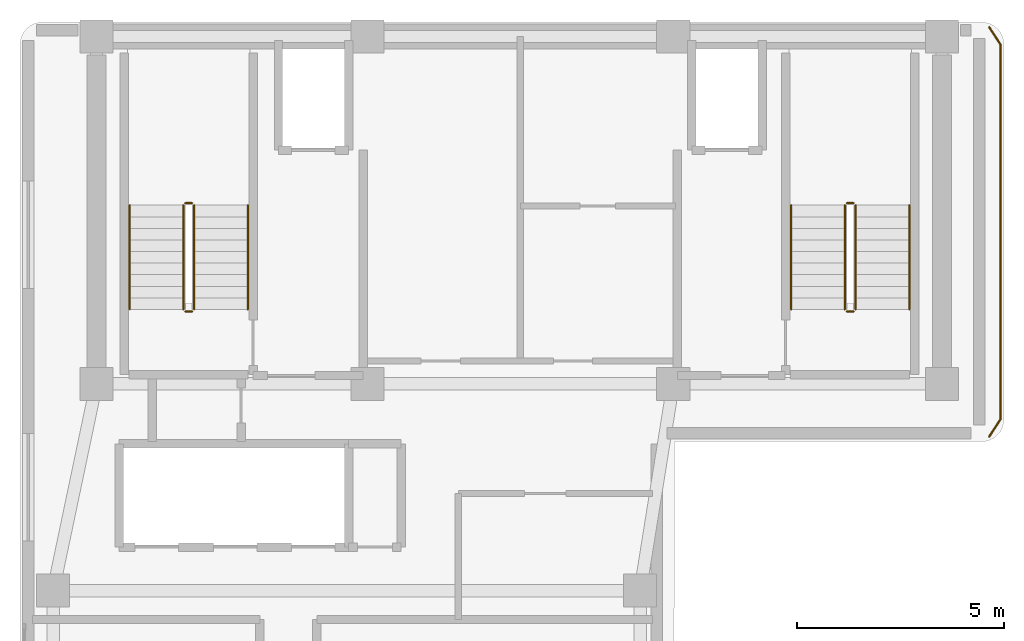
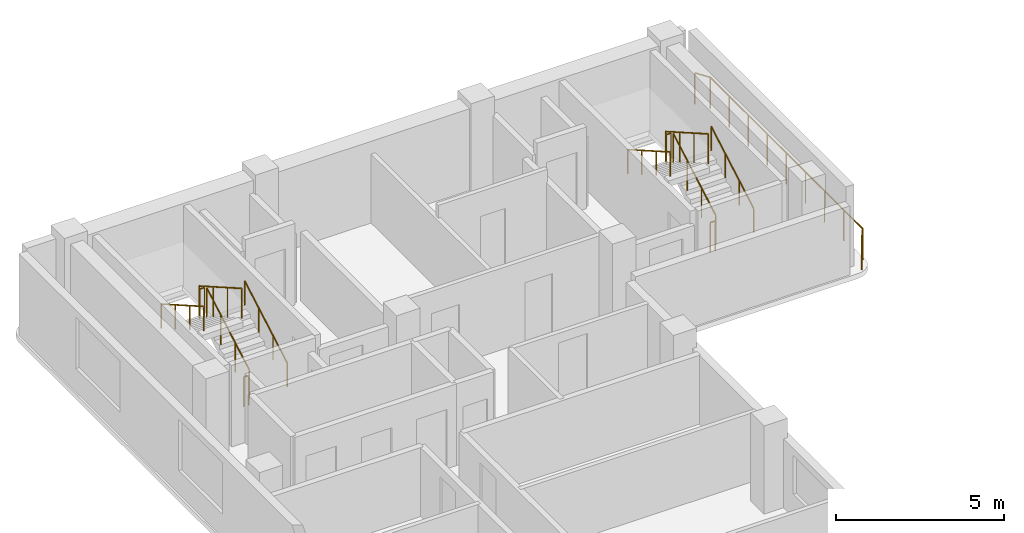
# One storey, part 9 of 9: 15 railings.
"""IFC4 building model written with IfcOpenShell, lengths in metres."""

from ifc_helpers import new_model, si_unit, direction, frame, origin, origin_2d, place, context, subcontext, project, spatial, circle, extrude, material, layer, layer_set, type_object, element, save


model = new_model("IFC4")

# Units and contexts
model_context = context("Model", 3, precision=1e-05, world=origin(), true_north=direction((0.0, 1.0)))
body_context = subcontext(model_context, "Body", "Model", "MODEL_VIEW")
ifc_project = project(units=[si_unit("LENGTHUNIT", "METRE"), si_unit("AREAUNIT", "SQUARE_METRE"), si_unit("VOLUMEUNIT", "CUBIC_METRE"), si_unit("PLANEANGLEUNIT", "RADIAN"), si_unit("MASSUNIT", "GRAM", prefix="KILO")], contexts=[model_context])

# Site, building, storey
site_placement = place(None, origin())
site = spatial("IfcSite", under=ifc_project, at=site_placement, CompositionType="ELEMENT")
building_placement = place(site_placement, origin())
building = spatial("IfcBuilding", under=site, at=building_placement, Name="Kuzgunbayir Cultural Tower", CompositionType="ELEMENT")
storey_placement = place(building_placement, frame((0.0, 0.0, 247.199951171875)))
storey = spatial("IfcBuildingStorey", under=building, at=storey_placement, Name="L73", CompositionType="ELEMENT", Elevation=247.199951171875)

# Railings
ifc_material_1 = material(Name="Laminated Glass and Stainless Steel", Category="steel")
ifc_layer_1 = layer(ifc_material_1, 0.080078125)
ifc_layer_set_1 = layer_set([ifc_layer_1], Name="Laminated Glass and Stainless Steel")
railing_type_1 = type_object("IfcRailingType", Name="RLG-BAL-115", PredefinedType="BALUSTRADE", material=ifc_layer_set_1)
railing_1_placement = place(storey_placement, frame((28.0400390625, 42.429931640625, 0.0)))
element("IfcRailing", 1, at=railing_1_placement, inside=storey, type_object=railing_type_1, Name="L73 Perimeter Edge Guard 1", PredefinedType="BALUSTRADE", context=body_context, shape_type="SweptSolid", body=[
    extrude(circle(Radius=0.02392578125, at=origin_2d()), frame((0.0, 0.0, 1.1259765625), z_axis=(0.545774188207, -0.837932297675, 0.0), x_axis=(0.837932297675, 0.545774188207, 0.0)), (0.0, 0.0, 1.0), 0.51318359375),
    extrude(circle(Radius=0.02099609375, at=origin_2d()), origin(), (0.0, 0.0, 1.0), 1.101806640625),
    extrude(circle(Radius=0.02099609375, at=origin_2d()), frame((0.280029296875, -0.429931640625, 0.0)), (0.0, 0.0, 1.0), 1.101806640625),
])
railing_2_placement = place(storey_placement, frame((28.320068359375, 42.0, 0.0)))
element("IfcRailing", 2, at=railing_2_placement, inside=storey, type_object=railing_type_1, Name="L73 Perimeter Edge Guard 2", PredefinedType="BALUSTRADE", context=body_context, shape_type="SweptSolid", body=[
    extrude(circle(Radius=0.02392578125, at=origin_2d()), frame((0.0, 0.0, 1.1259765625), z_axis=(0.0, -1.0, 0.0), x_axis=(1.0, 0.0, 0.0)), (0.0, 0.0, 1.0), 9.050048828125),
    extrude(circle(Radius=0.02099609375, at=origin_2d()), origin(), (0.0, 0.0, 1.0), 1.101806640625),
    extrude(circle(Radius=0.02099609375, at=origin_2d()), frame((0.0, -1.13134765625, 0.0)), (0.0, 0.0, 1.0), 1.101806640625),
    extrude(circle(Radius=0.02099609375, at=origin_2d()), frame((0.0, -2.262451171875, 0.0)), (0.0, 0.0, 1.0), 1.101806640625),
    extrude(circle(Radius=0.02099609375, at=origin_2d()), frame((0.0, -3.393798828125, 0.0)), (0.0, 0.0, 1.0), 1.101806640625),
    extrude(circle(Radius=0.02099609375, at=origin_2d()), frame((0.0, -4.52490234375, 0.0)), (0.0, 0.0, 1.0), 1.101806640625),
    extrude(circle(Radius=0.02099609375, at=origin_2d()), frame((0.0, -5.65625, 0.0)), (0.0, 0.0, 1.0), 1.101806640625),
    extrude(circle(Radius=0.02099609375, at=origin_2d()), frame((0.0, -6.78759765625, 0.0)), (0.0, 0.0, 1.0), 1.101806640625),
    extrude(circle(Radius=0.02099609375, at=origin_2d()), frame((0.0, -7.918701171875, 0.0)), (0.0, 0.0, 1.0), 1.101806640625),
    extrude(circle(Radius=0.02099609375, at=origin_2d()), frame((0.0, -9.050048828125, 0.0)), (0.0, 0.0, 1.0), 1.101806640625),
])
railing_3_placement = place(storey_placement, frame((28.320068359375, 32.949951171875, 0.0)))
element("IfcRailing", 3, at=railing_3_placement, inside=storey, type_object=railing_type_1, Name="L73 Perimeter Edge Guard 3", PredefinedType="BALUSTRADE", context=body_context, shape_type="SweptSolid", body=[
    extrude(circle(Radius=0.02392578125, at=origin_2d()), frame((0.0, 0.0, 1.1259765625), z_axis=(-0.545774188207, -0.837932297675, 0.0), x_axis=(0.837932297675, -0.545774188207, 0.0)), (0.0, 0.0, 1.0), 0.51318359375),
    extrude(circle(Radius=0.02099609375, at=origin_2d()), origin(), (0.0, 0.0, 1.0), 1.101806640625),
    extrude(circle(Radius=0.02099609375, at=origin_2d()), frame((-0.280029296875, -0.429931640625, 0.0)), (0.0, 0.0, 1.0), 1.101806640625),
])
ifc_material_2 = material(Name="Brushed Stainless Steel", Category="steel")
ifc_layer_2 = layer(ifc_material_2, 0.050048828125)
ifc_layer_set_2 = layer_set([ifc_layer_2], Name="Brushed Stainless Steel")
railing_type_2 = type_object("IfcRailingType", Name="RLG-STAIR-HANDRAIL", PredefinedType="HANDRAIL", material=ifc_layer_set_2)
railing_4_placement = place(storey_placement, frame((10.110107421875, 35.60009765625, 0.16015625)))
element("IfcRailing", 4, at=railing_4_placement, inside=storey, type_object=railing_type_2, Name="L73 ST-1 stair handrail 1", PredefinedType="HANDRAIL", context=body_context, shape_type="SweptSolid", body=[
    extrude(circle(Radius=0.02392578125, at=origin_2d()), frame((0.0, 0.0, 0.8759765625), z_axis=(0.0, 0.868253494771, 0.496120820787), x_axis=(-1.0, 0.0, 0.0)), (0.0, 0.0, 1.0), 2.90234375),
    extrude(circle(Radius=0.02099609375, at=origin_2d()), origin(), (0.0, 0.0, 1.0), 0.851806640625),
    extrude(circle(Radius=0.02099609375, at=origin_2d()), frame((0.0, 0.840087890625, 0.47998046875)), (0.0, 0.0, 1.0), 0.851806640625),
    extrude(circle(Radius=0.02099609375, at=origin_2d()), frame((0.0, 1.679931640625, 0.9599609375)), (0.0, 0.0, 1.0), 0.851806640625),
    extrude(circle(Radius=0.02099609375, at=origin_2d()), frame((0.0, 2.52001953125, 1.43994140625)), (0.0, 0.0, 1.0), 0.851806640625),
])
railing_5_placement = place(storey_placement, frame((7.25, 38.1201171875, 1.760009765625)))
element("IfcRailing", 5, at=railing_5_placement, inside=storey, type_object=railing_type_2, Name="L73 ST-1 stair handrail 2", PredefinedType="HANDRAIL", context=body_context, shape_type="SweptSolid", body=[
    extrude(circle(Radius=0.02392578125, at=origin_2d()), frame((0.0, 0.0, 0.8759765625), z_axis=(0.0, -0.868253494771, 0.496120820787), x_axis=(1.0, 0.0, 0.0)), (0.0, 0.0, 1.0), 2.90234375),
    extrude(circle(Radius=0.02099609375, at=origin_2d()), origin(), (0.0, 0.0, 1.0), 0.851806640625),
    extrude(circle(Radius=0.02099609375, at=origin_2d()), frame((0.0, -0.840087890625, 0.47998046875)), (0.0, 0.0, 1.0), 0.851806640625),
    extrude(circle(Radius=0.02099609375, at=origin_2d()), frame((0.0, -1.679931640625, 0.9599609375)), (0.0, 0.0, 1.0), 0.851806640625),
    extrude(circle(Radius=0.02099609375, at=origin_2d()), frame((0.0, -2.52001953125, 1.43994140625)), (0.0, 0.0, 1.0), 0.851806640625),
])
railing_6_placement = place(storey_placement, frame((26.110107421875, 35.60009765625, 0.16015625)))
element("IfcRailing", 6, at=railing_6_placement, inside=storey, type_object=railing_type_2, Name="L73 ST-2 stair handrail 1", PredefinedType="HANDRAIL", context=body_context, shape_type="SweptSolid", body=[
    extrude(circle(Radius=0.02392578125, at=origin_2d()), frame((0.0, 0.0, 0.8759765625), z_axis=(0.0, 0.868253494771, 0.496120820787), x_axis=(-1.0, 0.0, 0.0)), (0.0, 0.0, 1.0), 2.90234375),
    extrude(circle(Radius=0.02099609375, at=origin_2d()), origin(), (0.0, 0.0, 1.0), 0.851806640625),
    extrude(circle(Radius=0.02099609375, at=origin_2d()), frame((0.0, 0.840087890625, 0.47998046875)), (0.0, 0.0, 1.0), 0.851806640625),
    extrude(circle(Radius=0.02099609375, at=origin_2d()), frame((0.0, 1.679931640625, 0.9599609375)), (0.0, 0.0, 1.0), 0.851806640625),
    extrude(circle(Radius=0.02099609375, at=origin_2d()), frame((0.0, 2.52001953125, 1.43994140625)), (0.0, 0.0, 1.0), 0.851806640625),
])
railing_7_placement = place(storey_placement, frame((23.25, 38.1201171875, 1.760009765625)))
element("IfcRailing", 7, at=railing_7_placement, inside=storey, type_object=railing_type_2, Name="L73 ST-2 stair handrail 2", PredefinedType="HANDRAIL", context=body_context, shape_type="SweptSolid", body=[
    extrude(circle(Radius=0.02392578125, at=origin_2d()), frame((0.0, 0.0, 0.8759765625), z_axis=(0.0, -0.868253494771, 0.496120820787), x_axis=(1.0, 0.0, 0.0)), (0.0, 0.0, 1.0), 2.90234375),
    extrude(circle(Radius=0.02099609375, at=origin_2d()), origin(), (0.0, 0.0, 1.0), 0.851806640625),
    extrude(circle(Radius=0.02099609375, at=origin_2d()), frame((0.0, -0.840087890625, 0.47998046875)), (0.0, 0.0, 1.0), 0.851806640625),
    extrude(circle(Radius=0.02099609375, at=origin_2d()), frame((0.0, -1.679931640625, 0.9599609375)), (0.0, 0.0, 1.0), 0.851806640625),
    extrude(circle(Radius=0.02099609375, at=origin_2d()), frame((0.0, -2.52001953125, 1.43994140625)), (0.0, 0.0, 1.0), 0.851806640625),
])
ifc_material_3 = material(Name="Painted Steel Balustrade", Category="steel")
ifc_layer_3 = layer(ifc_material_3, 0.06005859375)
ifc_layer_set_3 = layer_set([ifc_layer_3], Name="Painted Steel Balustrade")
railing_type_3 = type_object("IfcRailingType", Name="RLG-WELL-GUARD", PredefinedType="GUARDRAIL", material=ifc_layer_set_3)
railing_8_placement = place(storey_placement, frame((8.81005859375, 35.60009765625, 0.16015625)))
element("IfcRailing", 8, at=railing_8_placement, inside=storey, type_object=railing_type_3, Name="L73 ST-1 stair guard 1", PredefinedType="GUARDRAIL", context=body_context, shape_type="SweptSolid", body=[
    extrude(circle(Radius=0.02392578125, at=origin_2d()), frame((0.0, 0.0, 1.076171875), z_axis=(0.0, 0.868253494771, 0.496120820787), x_axis=(-1.0, 0.0, 0.0)), (0.0, 0.0, 1.0), 2.90234375),
    extrude(circle(Radius=0.02099609375, at=origin_2d()), origin(), (0.0, 0.0, 1.0), 1.052001953125),
    extrude(circle(Radius=0.02099609375, at=origin_2d()), frame((0.0, 0.840087890625, 0.47998046875)), (0.0, 0.0, 1.0), 1.052001953125),
    extrude(circle(Radius=0.02099609375, at=origin_2d()), frame((0.0, 1.679931640625, 0.9599609375)), (0.0, 0.0, 1.0), 1.052001953125),
    extrude(circle(Radius=0.02099609375, at=origin_2d()), frame((0.0, 2.52001953125, 1.43994140625)), (0.0, 0.0, 1.0), 1.052001953125),
])
railing_9_placement = place(storey_placement, frame((8.760009765625, 38.169921875, 1.60009765625)))
element("IfcRailing", 9, at=railing_9_placement, inside=storey, type_object=railing_type_3, Name="L73 ST-1 stair guard 2", PredefinedType="GUARDRAIL", context=body_context, shape_type="SweptSolid", body=[
    extrude(circle(Radius=0.02392578125, at=origin_2d()), frame((0.0, 0.0, 1.076171875), z_axis=(-1.0, 0.0, 0.0), x_axis=(0.0, -1.0, 0.0)), (0.0, 0.0, 1.0), 0.159912109375),
    extrude(circle(Radius=0.02099609375, at=origin_2d()), origin(), (0.0, 0.0, 1.0), 1.052001953125),
    extrude(circle(Radius=0.02099609375, at=origin_2d()), frame((-0.159912109375, 0.0, 0.0)), (0.0, 0.0, 1.0), 1.052001953125),
])
railing_10_placement = place(storey_placement, frame((8.550048828125, 38.1201171875, 1.760009765625)))
element("IfcRailing", 10, at=railing_10_placement, inside=storey, type_object=railing_type_3, Name="L73 ST-1 stair guard 3", PredefinedType="GUARDRAIL", context=body_context, shape_type="SweptSolid", body=[
    extrude(circle(Radius=0.02392578125, at=origin_2d()), frame((0.0, 0.0, 1.076171875), z_axis=(0.0, -0.868253494771, 0.496120820787), x_axis=(1.0, 0.0, 0.0)), (0.0, 0.0, 1.0), 2.90234375),
    extrude(circle(Radius=0.02099609375, at=origin_2d()), origin(), (0.0, 0.0, 1.0), 1.052001953125),
    extrude(circle(Radius=0.02099609375, at=origin_2d()), frame((0.0, -0.840087890625, 0.47998046875)), (0.0, 0.0, 1.0), 1.052001953125),
    extrude(circle(Radius=0.02099609375, at=origin_2d()), frame((0.0, -1.679931640625, 0.9599609375)), (0.0, 0.0, 1.0), 1.052001953125),
    extrude(circle(Radius=0.02099609375, at=origin_2d()), frame((0.0, -2.52001953125, 1.43994140625)), (0.0, 0.0, 1.0), 1.052001953125),
])
railing_11_placement = place(storey_placement, frame((8.760009765625, 35.550048828125, 0.0)))
element("IfcRailing", 11, at=railing_11_placement, inside=storey, type_object=railing_type_3, Name="L73 ST-1 stair guard 4", PredefinedType="GUARDRAIL", context=body_context, shape_type="SweptSolid", body=[
    extrude(circle(Radius=0.02392578125, at=origin_2d()), frame((0.0, 0.0, 1.076171875), z_axis=(-1.0, 0.0, 0.0), x_axis=(0.0, -1.0, 0.0)), (0.0, 0.0, 1.0), 0.159912109375),
    extrude(circle(Radius=0.02099609375, at=origin_2d()), origin(), (0.0, 0.0, 1.0), 1.052001953125),
    extrude(circle(Radius=0.02099609375, at=origin_2d()), frame((-0.159912109375, 0.0, 0.0)), (0.0, 0.0, 1.0), 1.052001953125),
])
railing_12_placement = place(storey_placement, frame((24.81005859375, 35.60009765625, 0.16015625)))
element("IfcRailing", 12, at=railing_12_placement, inside=storey, type_object=railing_type_3, Name="L73 ST-2 stair guard 1", PredefinedType="GUARDRAIL", context=body_context, shape_type="SweptSolid", body=[
    extrude(circle(Radius=0.02392578125, at=origin_2d()), frame((0.0, 0.0, 1.076171875), z_axis=(0.0, 0.868253494771, 0.496120820787), x_axis=(-1.0, 0.0, 0.0)), (0.0, 0.0, 1.0), 2.90234375),
    extrude(circle(Radius=0.02099609375, at=origin_2d()), origin(), (0.0, 0.0, 1.0), 1.052001953125),
    extrude(circle(Radius=0.02099609375, at=origin_2d()), frame((0.0, 0.840087890625, 0.47998046875)), (0.0, 0.0, 1.0), 1.052001953125),
    extrude(circle(Radius=0.02099609375, at=origin_2d()), frame((0.0, 1.679931640625, 0.9599609375)), (0.0, 0.0, 1.0), 1.052001953125),
    extrude(circle(Radius=0.02099609375, at=origin_2d()), frame((0.0, 2.52001953125, 1.43994140625)), (0.0, 0.0, 1.0), 1.052001953125),
])
railing_13_placement = place(storey_placement, frame((24.760009765625, 38.169921875, 1.60009765625)))
element("IfcRailing", 13, at=railing_13_placement, inside=storey, type_object=railing_type_3, Name="L73 ST-2 stair guard 2", PredefinedType="GUARDRAIL", context=body_context, shape_type="SweptSolid", body=[
    extrude(circle(Radius=0.02392578125, at=origin_2d()), frame((0.0, 0.0, 1.076171875), z_axis=(-1.0, 0.0, 0.0), x_axis=(0.0, -1.0, 0.0)), (0.0, 0.0, 1.0), 0.159912109375),
    extrude(circle(Radius=0.02099609375, at=origin_2d()), origin(), (0.0, 0.0, 1.0), 1.052001953125),
    extrude(circle(Radius=0.02099609375, at=origin_2d()), frame((-0.159912109375, 0.0, 0.0)), (0.0, 0.0, 1.0), 1.052001953125),
])
railing_14_placement = place(storey_placement, frame((24.550048828125, 38.1201171875, 1.760009765625)))
element("IfcRailing", 14, at=railing_14_placement, inside=storey, type_object=railing_type_3, Name="L73 ST-2 stair guard 3", PredefinedType="GUARDRAIL", context=body_context, shape_type="SweptSolid", body=[
    extrude(circle(Radius=0.02392578125, at=origin_2d()), frame((0.0, 0.0, 1.076171875), z_axis=(0.0, -0.868253494771, 0.496120820787), x_axis=(1.0, 0.0, 0.0)), (0.0, 0.0, 1.0), 2.90234375),
    extrude(circle(Radius=0.02099609375, at=origin_2d()), origin(), (0.0, 0.0, 1.0), 1.052001953125),
    extrude(circle(Radius=0.02099609375, at=origin_2d()), frame((0.0, -0.840087890625, 0.47998046875)), (0.0, 0.0, 1.0), 1.052001953125),
    extrude(circle(Radius=0.02099609375, at=origin_2d()), frame((0.0, -1.679931640625, 0.9599609375)), (0.0, 0.0, 1.0), 1.052001953125),
    extrude(circle(Radius=0.02099609375, at=origin_2d()), frame((0.0, -2.52001953125, 1.43994140625)), (0.0, 0.0, 1.0), 1.052001953125),
])
railing_15_placement = place(storey_placement, frame((24.760009765625, 35.550048828125, 0.0)))
element("IfcRailing", 15, at=railing_15_placement, inside=storey, type_object=railing_type_3, Name="L73 ST-2 stair guard 4", PredefinedType="GUARDRAIL", context=body_context, shape_type="SweptSolid", body=[
    extrude(circle(Radius=0.02392578125, at=origin_2d()), frame((0.0, 0.0, 1.076171875), z_axis=(-1.0, 0.0, 0.0), x_axis=(0.0, -1.0, 0.0)), (0.0, 0.0, 1.0), 0.159912109375),
    extrude(circle(Radius=0.02099609375, at=origin_2d()), origin(), (0.0, 0.0, 1.0), 1.052001953125),
    extrude(circle(Radius=0.02099609375, at=origin_2d()), frame((-0.159912109375, 0.0, 0.0)), (0.0, 0.0, 1.0), 1.052001953125),
])

save(model, "model.ifc")
